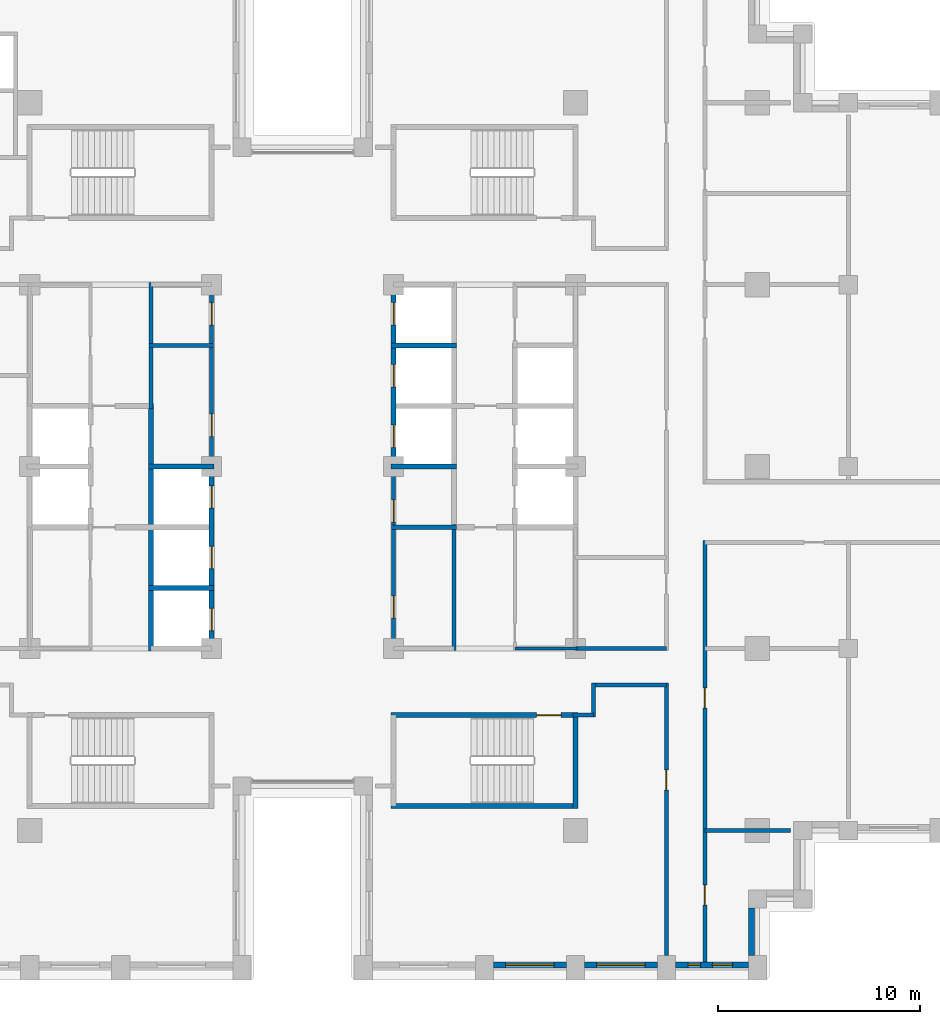
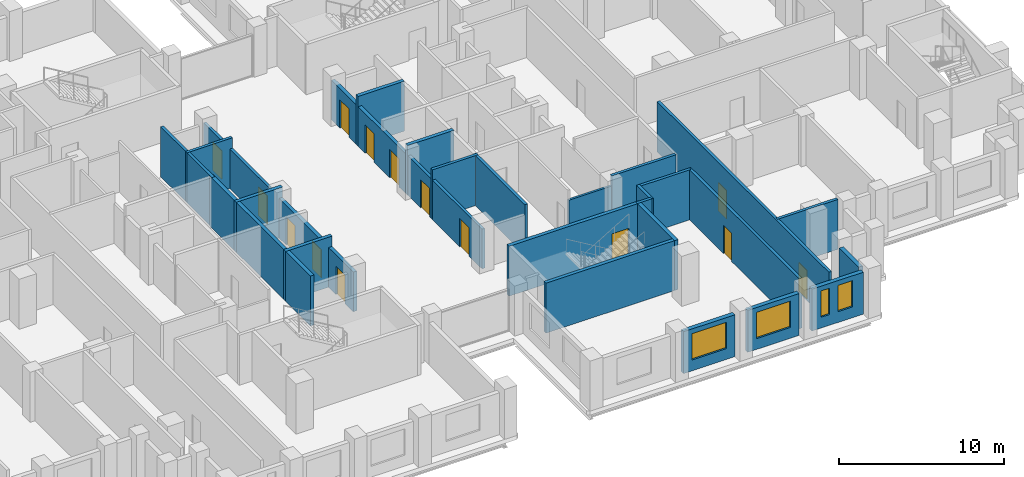
# One storey, part 8 of 15: 28 walls, 14 doors, 4 windows, 18 openings.
"""IFC4 building model written with IfcOpenShell, lengths in metres."""

from ifc_helpers import new_model, si_unit, direction, frame, frame_2d, origin, place, context, subcontext, project, spatial, rectangle, extrude, material, layer, layer_set, type_object, element, fill, save


model = new_model("IFC4")

# Units and contexts
model_context = context("Model", 3, precision=1e-05, world=origin(), true_north=direction((0.0, 1.0)))
body_context = subcontext(model_context, "Body", "Model", "MODEL_VIEW")
ifc_project = project(units=[si_unit("LENGTHUNIT", "METRE"), si_unit("AREAUNIT", "SQUARE_METRE"), si_unit("VOLUMEUNIT", "CUBIC_METRE"), si_unit("PLANEANGLEUNIT", "RADIAN"), si_unit("MASSUNIT", "GRAM", prefix="KILO")], contexts=[model_context])

# Site, building, storey
site_placement = place(None, origin())
site = spatial("IfcSite", under=ifc_project, at=site_placement, CompositionType="ELEMENT")
building_placement = place(site_placement, origin())
building = spatial("IfcBuilding", under=site, at=building_placement, Name="Corbelhall Arena Tower", CompositionType="ELEMENT")
storey_placement = place(building_placement, frame((0.0, 0.0, 96.0)))
storey = spatial("IfcBuildingStorey", under=building, at=storey_placement, Name="L16", CompositionType="ELEMENT", Elevation=96.0)

# Wall, opening, window
ifc_material_1 = material(Name="Precast concrete C40/50 with granite facing", Category="masonry")
ifc_layer_1 = layer(ifc_material_1, 0.300048828125)
ifc_layer_set_1 = layer_set([ifc_layer_1], Name="EV-IW1 Infill panel 300")
wall_type_1 = type_object("IfcWallType", Name="EV-IW1 Infill panel 300", PredefinedType="SOLIDWALL", material=ifc_layer_set_1)
wall_1_placement = place(storey_placement, frame((9.449951171875, -24.64990234375, 0.0), z_axis=(0.0, 0.0, 1.0), x_axis=(1.0, 0.0, 0.0)))
wall_1 = element("IfcWall", 1, at=wall_1_placement, inside=storey, type_object=wall_type_1, Name="Infill panel IW1", PredefinedType="SOLIDWALL", context=body_context, shape_type="SweptSolid", body=[
    extrude(rectangle(XDim=3.60009765625, YDim=0.300048828125, at=frame_2d((1.800048828125, 0.0))), origin(), (0.0, 0.0, 1.0), 3.10009765625),
])
opening_1_placement = place(wall_1_placement, frame((0.60009765625, 0.0, 0.800048828125)))
opening_1 = element("IfcOpeningElement", 2, at=opening_1_placement, cuts=wall_1, Name="Opening WN1", PredefinedType="OPENING", context=body_context, shape_type="SweptSolid", body=[
    extrude(rectangle(XDim=2.39990234375, YDim=1.949951171875, at=frame_2d((1.199951171875, 0.97509765625))), frame((0.0, 0.14990234375, 0.0), z_axis=(0.0, -1.0, 0.0), x_axis=(1.0, 0.0, 0.0)), (0.0, 0.0, 1.0), 0.300048828125),
])
ifc_material_2 = material(Name="Aluminium black anodised", Category="aluminium")
window_type_1 = type_object("IfcWindowType", Name="EV-WN1 Office window", PartitioningType="SINGLE_PANEL", PredefinedType="WINDOW", material=ifc_material_2)
window_1_placement = place(opening_1_placement, origin())
window_1 = element("IfcWindow", 3, at=window_1_placement, inside=storey, type_object=window_type_1, Name="Window WN1", OverallHeight=1.949951171875, OverallWidth=2.39990234375, PartitioningType="SINGLE_PANEL", PredefinedType="WINDOW", context=body_context, shape_type="SweptSolid", body=[
    extrude(rectangle(XDim=2.39990234375, YDim=1.949951171875, at=frame_2d((1.199951171875, 0.97509765625))), frame((0.0, 0.030029296875, 0.0), z_axis=(0.0, -1.0, 0.0), x_axis=(1.0, 0.0, 0.0)), (0.0, 0.0, 1.0), 0.06005859375),
])
fill(opening_1, window_1)

wall_2_placement = place(storey_placement, frame((13.949951171875, -24.64990234375, 0.0), z_axis=(0.0, 0.0, 1.0), x_axis=(1.0, 0.0, 0.0)))
wall_2 = element("IfcWall", 4, at=wall_2_placement, inside=storey, type_object=wall_type_1, Name="Infill panel IW1", PredefinedType="SOLIDWALL", context=body_context, shape_type="SweptSolid", body=[
    extrude(rectangle(XDim=3.60009765625, YDim=0.300048828125, at=frame_2d((1.800048828125, 0.0))), origin(), (0.0, 0.0, 1.0), 3.10009765625),
])
opening_2_placement = place(wall_2_placement, frame((0.60009765625, 0.0, 0.800048828125)))
opening_2 = element("IfcOpeningElement", 5, at=opening_2_placement, cuts=wall_2, Name="Opening WN1", PredefinedType="OPENING", context=body_context, shape_type="SweptSolid", body=[
    extrude(rectangle(XDim=2.39990234375, YDim=1.949951171875, at=frame_2d((1.199951171875, 0.97509765625))), frame((0.0, 0.14990234375, 0.0), z_axis=(0.0, -1.0, 0.0), x_axis=(1.0, 0.0, 0.0)), (0.0, 0.0, 1.0), 0.300048828125),
])
window_2_placement = place(opening_2_placement, origin())
window_2 = element("IfcWindow", 6, at=window_2_placement, inside=storey, type_object=window_type_1, Name="Window WN1", OverallHeight=1.949951171875, OverallWidth=2.39990234375, PartitioningType="SINGLE_PANEL", PredefinedType="WINDOW", context=body_context, shape_type="SweptSolid", body=[
    extrude(rectangle(XDim=2.39990234375, YDim=1.949951171875, at=frame_2d((1.199951171875, 0.97509765625))), frame((0.0, 0.030029296875, 0.0), z_axis=(0.0, -1.0, 0.0), x_axis=(1.0, 0.0, 0.0)), (0.0, 0.0, 1.0), 0.06005859375),
])
fill(opening_2, window_2)

# Wall, openings, windows
wall_3_placement = place(storey_placement, frame((18.449951171875, -24.64990234375, 0.0), z_axis=(0.0, 0.0, 1.0), x_axis=(1.0, 0.0, 0.0)))
wall_3 = element("IfcWall", 7, at=wall_3_placement, inside=storey, type_object=wall_type_1, Name="Infill panel IW1", PredefinedType="SOLIDWALL", context=body_context, shape_type="SweptSolid", body=[
    extrude(rectangle(XDim=3.60009765625, YDim=0.300048828125, at=frame_2d((1.800048828125, 0.0))), origin(), (0.0, 0.0, 1.0), 3.10009765625),
])
opening_3_placement = place(wall_3_placement, frame((0.625, 0.0, 0.800048828125)))
opening_3 = element("IfcOpeningElement", 8, at=opening_3_placement, cuts=wall_3, Name="Opening WN5", PredefinedType="OPENING", context=body_context, shape_type="SweptSolid", body=[
    extrude(rectangle(XDim=0.60009765625, YDim=1.949951171875, at=frame_2d((0.300048828125, 0.97509765625))), frame((0.0, 0.14990234375, 0.0), z_axis=(0.0, -1.0, 0.0), x_axis=(1.0, 0.0, 0.0)), (0.0, 0.0, 1.0), 0.300048828125),
])
opening_4_placement = place(wall_3_placement, frame((1.824951171875, 0.0, 0.800048828125)))
opening_4 = element("IfcOpeningElement", 9, at=opening_4_placement, cuts=wall_3, Name="Opening WN6", PredefinedType="OPENING", context=body_context, shape_type="SweptSolid", body=[
    extrude(rectangle(XDim=1.0, YDim=1.949951171875, at=frame_2d((0.5, 0.97509765625))), frame((0.0, 0.14990234375, 0.0), z_axis=(0.0, -1.0, 0.0), x_axis=(1.0, 0.0, 0.0)), (0.0, 0.0, 1.0), 0.300048828125),
])
window_type_2 = type_object("IfcWindowType", Name="EV-WN5 Office window 600", PartitioningType="SINGLE_PANEL", PredefinedType="WINDOW", material=ifc_material_2)
window_3_placement = place(opening_3_placement, origin())
window_3 = element("IfcWindow", 10, at=window_3_placement, inside=storey, type_object=window_type_2, Name="Window WN5", OverallHeight=1.949951171875, OverallWidth=0.60009765625, PartitioningType="SINGLE_PANEL", PredefinedType="WINDOW", context=body_context, shape_type="SweptSolid", body=[
    extrude(rectangle(XDim=0.60009765625, YDim=1.949951171875, at=frame_2d((0.300048828125, 0.97509765625))), frame((0.0, 0.030029296875, 0.0), z_axis=(0.0, -1.0, 0.0), x_axis=(1.0, 0.0, 0.0)), (0.0, 0.0, 1.0), 0.06005859375),
])
fill(opening_3, window_3)
window_type_3 = type_object("IfcWindowType", Name="EV-WN6 Office window 1000", PartitioningType="SINGLE_PANEL", PredefinedType="WINDOW", material=ifc_material_2)
window_4_placement = place(opening_4_placement, origin())
window_4 = element("IfcWindow", 11, at=window_4_placement, inside=storey, type_object=window_type_3, Name="Window WN6", OverallHeight=1.949951171875, OverallWidth=1.0, PartitioningType="SINGLE_PANEL", PredefinedType="WINDOW", context=body_context, shape_type="SweptSolid", body=[
    extrude(rectangle(XDim=1.0, YDim=1.949951171875, at=frame_2d((0.5, 0.97509765625))), frame((0.0, 0.030029296875, 0.0), z_axis=(0.0, -1.0, 0.0), x_axis=(1.0, 0.0, 0.0)), (0.0, 0.0, 1.0), 0.06005859375),
])
fill(opening_4, window_4)

# Walls
wall_4_placement = place(storey_placement, frame((22.199951171875, -24.199951171875, 0.0), z_axis=(0.0, 0.0, 1.0), x_axis=(0.0, 1.0, 0.0)))
element("IfcWall", 12, at=wall_4_placement, inside=storey, type_object=wall_type_1, Name="Infill panel IW1", PredefinedType="SOLIDWALL", context=body_context, shape_type="SweptSolid", body=[
    extrude(rectangle(XDim=2.349853515625, YDim=0.300048828125, at=frame_2d((1.1748046875, 0.0))), origin(), (0.0, 0.0, 1.0), 3.10009765625),
])
ifc_material_3 = material(Name="Gypsum board on steel stud, acoustic", Category="steel")
ifc_layer_2 = layer(ifc_material_3, 0.199951171875)
ifc_layer_set_2 = layer_set([ifc_layer_2], Name="IN-W-DM200")
wall_type_2 = type_object("IfcWallType", Name="IN-W-DM200", PredefinedType="PARTITIONING", material=ifc_layer_set_2)
wall_5_placement = place(storey_placement, frame((13.5, -9.0, 0.0), z_axis=(0.0, 0.0, 1.0), x_axis=(1.0, 0.0, 0.0)))
element("IfcWall", 13, at=wall_5_placement, inside=storey, type_object=wall_type_2, Name="Partition 037", PredefinedType="PARTITIONING", context=body_context, shape_type="SweptSolid", body=[
    extrude(rectangle(XDim=4.5, YDim=0.199951171875, at=frame_2d((2.25, 0.0))), origin(), (0.0, 0.0, 1.0), 3.699951171875),
])
wall_6_placement = place(storey_placement, frame((14.39990234375, -12.300048828125, 0.0), z_axis=(0.0, 0.0, 1.0), x_axis=(-1.0, 0.0, 0.0)))
element("IfcWall", 14, at=wall_6_placement, inside=storey, type_object=wall_type_2, Name="Partition 039", PredefinedType="PARTITIONING", context=body_context, shape_type="SweptSolid", body=[
    extrude(rectangle(XDim=1.02490234375, YDim=0.199951171875, at=frame_2d((0.512451171875, 0.0))), origin(), (0.0, 0.0, 1.0), 3.699951171875),
])
wall_7_placement = place(storey_placement, frame((14.39990234375, -10.699951171875, 0.0), z_axis=(0.0, 0.0, 1.0), x_axis=(0.0, -1.0, 0.0)))
element("IfcWall", 15, at=wall_7_placement, inside=storey, type_object=wall_type_2, Name="Partition 040", PredefinedType="PARTITIONING", context=body_context, shape_type="SweptSolid", body=[
    extrude(rectangle(XDim=1.699951171875, YDim=0.199951171875, at=frame_2d((0.85009765625, 0.0))), origin(), (0.0, 0.0, 1.0), 3.699951171875),
])

# Wall, opening, door
wall_8_placement = place(storey_placement, frame((18.0, -24.199951171875, 0.0), z_axis=(0.0, 0.0, 1.0), x_axis=(0.0, 1.0, 0.0)))
wall_8 = element("IfcWall", 16, at=wall_8_placement, inside=storey, type_object=wall_type_2, Name="Partition 044", PredefinedType="PARTITIONING", context=body_context, shape_type="SweptSolid", body=[
    extrude(rectangle(XDim=13.5, YDim=0.199951171875, at=frame_2d((6.75, 0.0))), origin(), (0.0, 0.0, 1.0), 3.699951171875),
])
opening_5_placement = place(wall_8_placement, frame((8.199951171875, 0.0, 0.0)))
opening_5 = element("IfcOpeningElement", 17, at=opening_5_placement, cuts=wall_8, Name="Opening 03028", PredefinedType="OPENING", context=body_context, shape_type="SweptSolid", body=[
    extrude(rectangle(XDim=1.0, YDim=2.10009765625, at=frame_2d((0.5, 1.050048828125))), frame((0.0, 0.10009765625, 0.0), z_axis=(0.0, -1.0, 0.0), x_axis=(1.0, 0.0, 0.0)), (0.0, 0.0, 1.0), 0.199951171875),
])
ifc_material_4 = material(Name="Steel door set", Category="steel")
door_type_1 = type_object("IfcDoorType", Name="IN-D-SW100", OperationType="NOTDEFINED", PredefinedType="DOOR", material=ifc_material_4)
door_1_placement = place(opening_5_placement, origin())
door_1 = element("IfcDoor", 18, at=door_1_placement, inside=storey, type_object=door_type_1, Name="Door 028", OperationType="SINGLE_SWING_LEFT", OverallHeight=2.10009765625, OverallWidth=1.0, PredefinedType="DOOR", context=body_context, shape_type="SweptSolid", body=[
    extrude(rectangle(XDim=1.0, YDim=2.10009765625, at=frame_2d((0.5, 1.050048828125))), frame((0.0, 0.02490234375, 0.0), z_axis=(0.0, -1.0, 0.0), x_axis=(1.0, 0.0, 0.0)), (0.0, 0.0, 1.0), 0.050048828125),
])
fill(opening_5, door_1)

# Walls
wall_9_placement = place(storey_placement, frame((18.0, -10.800048828125, 0.0), z_axis=(0.0, 0.0, 1.0), x_axis=(-1.0, 0.0, 0.0)))
element("IfcWall", 19, at=wall_9_placement, inside=storey, type_object=wall_type_2, Name="Partition 045", PredefinedType="PARTITIONING", context=body_context, shape_type="SweptSolid", body=[
    extrude(rectangle(XDim=3.60009765625, YDim=0.199951171875, at=frame_2d((1.800048828125, 0.0))), origin(), (0.0, 0.0, 1.0), 3.699951171875),
])
wall_10_placement = place(storey_placement, frame((19.89990234375, -18.0, 0.0), z_axis=(0.0, 0.0, 1.0), x_axis=(1.0, 0.0, 0.0)))
element("IfcWall", 20, at=wall_10_placement, inside=storey, type_object=wall_type_2, Name="Partition 048", PredefinedType="PARTITIONING", context=body_context, shape_type="SweptSolid", body=[
    extrude(rectangle(XDim=4.25, YDim=0.199951171875, at=frame_2d((2.125, 0.0))), origin(), (0.0, 0.0, 1.0), 3.699951171875),
])

# Wall, openings, doors
wall_11_placement = place(storey_placement, frame((19.89990234375, -3.64990234375, 0.0), z_axis=(0.0, 0.0, 1.0), x_axis=(0.0, -1.0, 0.0)))
wall_11 = element("IfcWall", 21, at=wall_11_placement, inside=storey, type_object=wall_type_2, Name="Partition 049", PredefinedType="PARTITIONING", context=body_context, shape_type="SweptSolid", body=[
    extrude(rectangle(XDim=20.85009765625, YDim=0.199951171875, at=frame_2d((10.425048828125, 0.0))), origin(), (0.0, 0.0, 1.0), 3.699951171875),
])
opening_6_placement = place(wall_11_placement, frame((17.050048828125, 0.0, 0.0)))
opening_6 = element("IfcOpeningElement", 22, at=opening_6_placement, cuts=wall_11, Name="Opening 03038", PredefinedType="OPENING", context=body_context, shape_type="SweptSolid", body=[
    extrude(rectangle(XDim=1.0, YDim=2.10009765625, at=frame_2d((0.5, 1.050048828125))), frame((0.0, 0.10009765625, 0.0), z_axis=(0.0, -1.0, 0.0), x_axis=(1.0, 0.0, 0.0)), (0.0, 0.0, 1.0), 0.199951171875),
])
opening_7_placement = place(wall_11_placement, frame((7.300048828125, 0.0, 0.0)))
opening_7 = element("IfcOpeningElement", 23, at=opening_7_placement, cuts=wall_11, Name="Opening 03039", PredefinedType="OPENING", context=body_context, shape_type="SweptSolid", body=[
    extrude(rectangle(XDim=1.0, YDim=2.10009765625, at=frame_2d((0.5, 1.050048828125))), frame((0.0, 0.10009765625, 0.0), z_axis=(0.0, -1.0, 0.0), x_axis=(1.0, 0.0, 0.0)), (0.0, 0.0, 1.0), 0.199951171875),
])
door_2_placement = place(opening_6_placement, origin())
door_2 = element("IfcDoor", 24, at=door_2_placement, inside=storey, type_object=door_type_1, Name="Door 038", OperationType="SINGLE_SWING_LEFT", OverallHeight=2.10009765625, OverallWidth=1.0, PredefinedType="DOOR", context=body_context, shape_type="SweptSolid", body=[
    extrude(rectangle(XDim=1.0, YDim=2.10009765625, at=frame_2d((0.5, 1.050048828125))), frame((0.0, 0.02490234375, 0.0), z_axis=(0.0, -1.0, 0.0), x_axis=(1.0, 0.0, 0.0)), (0.0, 0.0, 1.0), 0.050048828125),
])
fill(opening_6, door_2)
door_3_placement = place(opening_7_placement, origin())
door_3 = element("IfcDoor", 25, at=door_3_placement, inside=storey, type_object=door_type_1, Name="Door 039", OperationType="SINGLE_SWING_RIGHT", OverallHeight=2.10009765625, OverallWidth=1.0, PredefinedType="DOOR", context=body_context, shape_type="SweptSolid", body=[
    extrude(rectangle(XDim=1.0, YDim=2.10009765625, at=frame_2d((0.5, 1.050048828125))), frame((0.0, 0.02490234375, 0.0), z_axis=(0.0, -1.0, 0.0), x_axis=(1.0, 0.0, 0.0)), (0.0, 0.0, 1.0), 0.050048828125),
])
fill(opening_7, door_3)

# Walls
ifc_material_5 = material(Name="Concrete block wall", Category="concrete")
ifc_layer_3 = layer(ifc_material_5, 0.199951171875)
ifc_layer_set_3 = layer_set([ifc_layer_3], Name="IN-W-RS200")
wall_type_3 = type_object("IfcWallType", Name="IN-W-RS200", PredefinedType="SOLIDWALL", material=ifc_layer_set_3)
wall_12_placement = place(storey_placement, frame((-7.60009765625, 6.0, 0.0), z_axis=(0.0, 0.0, 1.0), x_axis=(1.0, 0.0, 0.0)))
element("IfcWall", 26, at=wall_12_placement, inside=storey, type_object=wall_type_3, Name="Partition 063", PredefinedType="SOLIDWALL", context=body_context, shape_type="SweptSolid", body=[
    extrude(rectangle(XDim=3.2001953125, YDim=0.199951171875, at=frame_2d((1.60009765625, 0.0))), origin(), (0.0, 0.0, 1.0), 3.699951171875),
])
wall_13_placement = place(storey_placement, frame((-7.5, 2.875, 0.0), z_axis=(0.0, 0.0, 1.0), x_axis=(0.0, 1.0, 0.0)))
element("IfcWall", 27, at=wall_13_placement, inside=storey, type_object=wall_type_3, Name="Partition 064", PredefinedType="SOLIDWALL", context=body_context, shape_type="SweptSolid", body=[
    extrude(rectangle(XDim=6.22509765625, YDim=0.199951171875, at=frame_2d((3.112548828125, 0.0))), origin(), (0.0, 0.0, 1.0), 3.699951171875),
])
wall_14_placement = place(storey_placement, frame((4.39990234375, -3.0, 0.0), z_axis=(0.0, 0.0, 1.0), x_axis=(1.0, 0.0, 0.0)))
element("IfcWall", 28, at=wall_14_placement, inside=storey, type_object=wall_type_3, Name="Partition 067", PredefinedType="SOLIDWALL", context=body_context, shape_type="SweptSolid", body=[
    extrude(rectangle(XDim=3.22509765625, YDim=0.199951171875, at=frame_2d((1.612548828125, 0.0))), origin(), (0.0, 0.0, 1.0), 3.699951171875),
])
wall_15_placement = place(storey_placement, frame((7.5, -2.875, 0.0), z_axis=(0.0, 0.0, 1.0), x_axis=(0.0, -1.0, 0.0)))
element("IfcWall", 29, at=wall_15_placement, inside=storey, type_object=wall_type_3, Name="Partition 070", PredefinedType="SOLIDWALL", context=body_context, shape_type="SweptSolid", body=[
    extrude(rectangle(XDim=6.22509765625, YDim=0.199951171875, at=frame_2d((3.112548828125, 0.0))), origin(), (0.0, 0.0, 1.0), 3.699951171875),
])

# Wall, openings, doors
ifc_layer_4 = layer(ifc_material_5, 0.199951171875)
ifc_layer_set_4 = layer_set([ifc_layer_4], Name="IN-W-RS200 under beam 762 mm")
wall_type_4 = type_object("IfcWallType", Name="IN-W-RS200 under beam 762 mm", PredefinedType="SOLIDWALL", material=ifc_layer_set_4)
wall_16_placement = place(storey_placement, frame((-4.5, 9.10009765625, 0.0), z_axis=(0.0, 0.0, 1.0), x_axis=(0.0, -1.0, 0.0)))
wall_16 = element("IfcWall", 30, at=wall_16_placement, inside=storey, type_object=wall_type_4, Name="Partition 066", PredefinedType="SOLIDWALL", context=body_context, shape_type="SweptSolid", body=[
    extrude(rectangle(XDim=9.10009765625, YDim=0.199951171875, at=frame_2d((4.550048828125, 0.0))), origin(), (0.0, 0.0, 1.0), 2.93798828125),
])
opening_8_placement = place(wall_16_placement, frame((6.5, 0.0, 0.0)))
opening_8 = element("IfcOpeningElement", 31, at=opening_8_placement, cuts=wall_16, Name="Opening 03001", PredefinedType="OPENING", context=body_context, shape_type="SweptSolid", body=[
    extrude(rectangle(XDim=1.10009765625, YDim=2.10009765625, at=frame_2d((0.550048828125, 1.050048828125))), frame((0.0, 0.10009765625, 0.0), z_axis=(0.0, -1.0, 0.0), x_axis=(1.0, 0.0, 0.0)), (0.0, 0.0, 1.0), 0.199951171875),
])
opening_9_placement = place(wall_16_placement, frame((1.0, 0.0, 0.0)))
opening_9 = element("IfcOpeningElement", 32, at=opening_9_placement, cuts=wall_16, Name="Opening 03002", PredefinedType="OPENING", context=body_context, shape_type="SweptSolid", body=[
    extrude(rectangle(XDim=1.10009765625, YDim=2.10009765625, at=frame_2d((0.550048828125, 1.050048828125))), frame((0.0, 0.10009765625, 0.0), z_axis=(0.0, -1.0, 0.0), x_axis=(1.0, 0.0, 0.0)), (0.0, 0.0, 1.0), 0.199951171875),
])
door_type_2 = type_object("IfcDoorType", Name="IN-D-FD110", OperationType="NOTDEFINED", PredefinedType="DOOR", material=ifc_material_4)
door_4_placement = place(opening_8_placement, origin())
door_4 = element("IfcDoor", 33, at=door_4_placement, inside=storey, type_object=door_type_2, Name="Door 001", OperationType="SINGLE_SWING_RIGHT", OverallHeight=2.10009765625, OverallWidth=1.10009765625, PredefinedType="DOOR", context=body_context, shape_type="SweptSolid", body=[
    extrude(rectangle(XDim=1.10009765625, YDim=2.10009765625, at=frame_2d((0.550048828125, 1.050048828125))), frame((0.0, 0.02490234375, 0.0), z_axis=(0.0, -1.0, 0.0), x_axis=(1.0, 0.0, 0.0)), (0.0, 0.0, 1.0), 0.050048828125),
])
fill(opening_8, door_4)
door_5_placement = place(opening_9_placement, origin())
door_5 = element("IfcDoor", 34, at=door_5_placement, inside=storey, type_object=door_type_2, Name="Door 002", OperationType="SINGLE_SWING_LEFT", OverallHeight=2.10009765625, OverallWidth=1.10009765625, PredefinedType="DOOR", context=body_context, shape_type="SweptSolid", body=[
    extrude(rectangle(XDim=1.10009765625, YDim=2.10009765625, at=frame_2d((0.550048828125, 1.050048828125))), frame((0.0, 0.02490234375, 0.0), z_axis=(0.0, -1.0, 0.0), x_axis=(1.0, 0.0, 0.0)), (0.0, 0.0, 1.0), 0.050048828125),
])
fill(opening_9, door_5)

wall_17_placement = place(storey_placement, frame((4.5, -9.10009765625, 0.0), z_axis=(0.0, 0.0, 1.0), x_axis=(0.0, 1.0, 0.0)))
wall_17 = element("IfcWall", 35, at=wall_17_placement, inside=storey, type_object=wall_type_4, Name="Partition 068", PredefinedType="SOLIDWALL", context=body_context, shape_type="SweptSolid", body=[
    extrude(rectangle(XDim=9.10009765625, YDim=0.199951171875, at=frame_2d((4.550048828125, 0.0))), origin(), (0.0, 0.0, 1.0), 2.93798828125),
])
opening_10_placement = place(wall_17_placement, frame((1.60009765625, 0.0, 0.0)))
opening_10 = element("IfcOpeningElement", 36, at=opening_10_placement, cuts=wall_17, Name="Opening 03007", PredefinedType="OPENING", context=body_context, shape_type="SweptSolid", body=[
    extrude(rectangle(XDim=1.10009765625, YDim=2.10009765625, at=frame_2d((0.550048828125, 1.050048828125))), frame((0.0, 0.10009765625, 0.0), z_axis=(0.0, -1.0, 0.0), x_axis=(1.0, 0.0, 0.0)), (0.0, 0.0, 1.0), 0.199951171875),
])
opening_11_placement = place(wall_17_placement, frame((6.35009765625, 0.0, 0.0)))
opening_11 = element("IfcOpeningElement", 37, at=opening_11_placement, cuts=wall_17, Name="Opening 03008", PredefinedType="OPENING", context=body_context, shape_type="SweptSolid", body=[
    extrude(rectangle(XDim=1.10009765625, YDim=2.10009765625, at=frame_2d((0.550048828125, 1.050048828125))), frame((0.0, 0.10009765625, 0.0), z_axis=(0.0, -1.0, 0.0), x_axis=(1.0, 0.0, 0.0)), (0.0, 0.0, 1.0), 0.199951171875),
])
door_6_placement = place(opening_10_placement, origin())
door_6 = element("IfcDoor", 38, at=door_6_placement, inside=storey, type_object=door_type_2, Name="Door 007", OperationType="SINGLE_SWING_RIGHT", OverallHeight=2.10009765625, OverallWidth=1.10009765625, PredefinedType="DOOR", context=body_context, shape_type="SweptSolid", body=[
    extrude(rectangle(XDim=1.10009765625, YDim=2.10009765625, at=frame_2d((0.550048828125, 1.050048828125))), frame((0.0, 0.02490234375, 0.0), z_axis=(0.0, -1.0, 0.0), x_axis=(1.0, 0.0, 0.0)), (0.0, 0.0, 1.0), 0.050048828125),
])
fill(opening_10, door_6)
door_7_placement = place(opening_11_placement, origin())
door_7 = element("IfcDoor", 39, at=door_7_placement, inside=storey, type_object=door_type_2, Name="Door 008", OperationType="SINGLE_SWING_LEFT", OverallHeight=2.10009765625, OverallWidth=1.10009765625, PredefinedType="DOOR", context=body_context, shape_type="SweptSolid", body=[
    extrude(rectangle(XDim=1.10009765625, YDim=2.10009765625, at=frame_2d((0.550048828125, 1.050048828125))), frame((0.0, 0.02490234375, 0.0), z_axis=(0.0, -1.0, 0.0), x_axis=(1.0, 0.0, 0.0)), (0.0, 0.0, 1.0), 0.050048828125),
])
fill(opening_11, door_7)

# Walls
ifc_material_6 = material(Name="Concrete C40/50", Category="concrete")
ifc_layer_5 = layer(ifc_material_6, 0.25)
ifc_layer_set_5 = layer_set([ifc_layer_5], Name="IN-W-SH250")
wall_type_5 = type_object("IfcWallType", Name="IN-W-SH250", PredefinedType="SOLIDWALL", material=ifc_layer_set_5)
for number, where, z_axis, x_axis, name in (
    (40, (-7.625, -6.0, 0.0), (0.0, 0.0, 1.0), (1.0, 0.0, 0.0), "Shaft wall 079"),
    (41, (-7.625, 0.0, 0.0), (0.0, 0.0, 1.0), (1.0, 0.0, 0.0), "Shaft wall 080"),
):
    element("IfcWall", number, at=place(storey_placement, frame(where, z_axis=z_axis, x_axis=x_axis)), inside=storey, type_object=wall_type_5, Name=name, PredefinedType="SOLIDWALL", context=body_context, shape_type="SweptSolid", body=[
        extrude(rectangle(XDim=3.25, YDim=0.25, at=frame_2d((1.625, 0.0))), origin(), (0.0, 0.0, 1.0), 3.699951171875),
    ])
wall_18_placement = place(storey_placement, frame((-7.5, -9.125, 0.0), z_axis=(0.0, 0.0, 1.0), x_axis=(0.0, 1.0, 0.0)))
element("IfcWall", 42, at=wall_18_placement, inside=storey, type_object=wall_type_5, Name="Shaft wall 081", PredefinedType="SOLIDWALL", context=body_context, shape_type="SweptSolid", body=[
    extrude(rectangle(XDim=12.25, YDim=0.25, at=frame_2d((6.125, 0.0))), origin(), (0.0, 0.0, 1.0), 3.699951171875),
])
for number, where, z_axis, x_axis, name in (
    (43, (4.375, 0.0, 0.0), (0.0, 0.0, 1.0), (1.0, 0.0, 0.0), "Shaft wall 084"),
    (44, (4.375, 6.0, 0.0), (0.0, 0.0, 1.0), (1.0, 0.0, 0.0), "Shaft wall 086"),
):
    element("IfcWall", number, at=place(storey_placement, frame(where, z_axis=z_axis, x_axis=x_axis)), inside=storey, type_object=wall_type_5, Name=name, PredefinedType="SOLIDWALL", context=body_context, shape_type="SweptSolid", body=[
        extrude(rectangle(XDim=3.25, YDim=0.25, at=frame_2d((1.625, 0.0))), origin(), (0.0, 0.0, 1.0), 3.699951171875),
    ])

# Wall, openings, doors
ifc_layer_6 = layer(ifc_material_6, 0.25)
ifc_layer_set_6 = layer_set([ifc_layer_6], Name="IN-W-SH250 under beam 762 mm")
wall_type_6 = type_object("IfcWallType", Name="IN-W-SH250 under beam 762 mm", PredefinedType="SOLIDWALL", material=ifc_layer_set_6)
wall_19_placement = place(storey_placement, frame((-4.5, 0.0, 0.0), z_axis=(0.0, 0.0, 1.0), x_axis=(0.0, -1.0, 0.0)))
wall_19 = element("IfcWall", 45, at=wall_19_placement, inside=storey, type_object=wall_type_6, Name="Shaft wall 083", PredefinedType="SOLIDWALL", context=body_context, shape_type="SweptSolid", body=[
    extrude(rectangle(XDim=9.125, YDim=0.25, at=frame_2d((4.5625, 0.0))), origin(), (0.0, 0.0, 1.0), 2.93798828125),
])
opening_12_placement = place(wall_19_placement, frame((7.012451171875, 0.0, 0.0)))
opening_12 = element("IfcOpeningElement", 46, at=opening_12_placement, cuts=wall_19, Name="Opening LD", PredefinedType="OPENING", context=body_context, shape_type="SweptSolid", body=[
    extrude(rectangle(XDim=1.10009765625, YDim=2.10009765625, at=frame_2d((0.550048828125, 1.050048828125))), frame((0.0, 0.125, 0.0), z_axis=(0.0, -1.0, 0.0), x_axis=(1.0, 0.0, 0.0)), (0.0, 0.0, 1.0), 0.25),
])
opening_13_placement = place(wall_19_placement, frame((3.949951171875, 0.0, 0.0)))
opening_13 = element("IfcOpeningElement", 47, at=opening_13_placement, cuts=wall_19, Name="Opening LD", PredefinedType="OPENING", context=body_context, shape_type="SweptSolid", body=[
    extrude(rectangle(XDim=1.10009765625, YDim=2.10009765625, at=frame_2d((0.550048828125, 1.050048828125))), frame((0.0, 0.125, 0.0), z_axis=(0.0, -1.0, 0.0), x_axis=(1.0, 0.0, 0.0)), (0.0, 0.0, 1.0), 0.25),
])
opening_14_placement = place(wall_19_placement, frame((0.949951171875, 0.0, 0.0)))
opening_14 = element("IfcOpeningElement", 48, at=opening_14_placement, cuts=wall_19, Name="Opening LD", PredefinedType="OPENING", context=body_context, shape_type="SweptSolid", body=[
    extrude(rectangle(XDim=1.10009765625, YDim=2.10009765625, at=frame_2d((0.550048828125, 1.050048828125))), frame((0.0, 0.125, 0.0), z_axis=(0.0, -1.0, 0.0), x_axis=(1.0, 0.0, 0.0)), (0.0, 0.0, 1.0), 0.25),
])
door_type_3 = type_object("IfcDoorType", Name="IN-D-LD110", OperationType="NOTDEFINED", PredefinedType="DOOR", material=ifc_material_4)
door_8_placement = place(opening_12_placement, origin())
door_8 = element("IfcDoor", 49, at=door_8_placement, inside=storey, type_object=door_type_3, Name="Landing door W1", OperationType="SLIDING_TO_LEFT", OverallHeight=2.10009765625, OverallWidth=1.10009765625, PredefinedType="DOOR", context=body_context, shape_type="SweptSolid", body=[
    extrude(rectangle(XDim=1.10009765625, YDim=2.10009765625, at=frame_2d((0.550048828125, 1.050048828125))), frame((0.0, 0.02490234375, 0.0), z_axis=(0.0, -1.0, 0.0), x_axis=(1.0, 0.0, 0.0)), (0.0, 0.0, 1.0), 0.050048828125),
])
fill(opening_12, door_8)
door_9_placement = place(opening_13_placement, origin())
door_9 = element("IfcDoor", 50, at=door_9_placement, inside=storey, type_object=door_type_3, Name="Landing door W2", OperationType="SLIDING_TO_LEFT", OverallHeight=2.10009765625, OverallWidth=1.10009765625, PredefinedType="DOOR", context=body_context, shape_type="SweptSolid", body=[
    extrude(rectangle(XDim=1.10009765625, YDim=2.10009765625, at=frame_2d((0.550048828125, 1.050048828125))), frame((0.0, 0.02490234375, 0.0), z_axis=(0.0, -1.0, 0.0), x_axis=(1.0, 0.0, 0.0)), (0.0, 0.0, 1.0), 0.050048828125),
])
fill(opening_13, door_9)
door_10_placement = place(opening_14_placement, origin())
door_10 = element("IfcDoor", 51, at=door_10_placement, inside=storey, type_object=door_type_3, Name="Landing door W3", OperationType="SLIDING_TO_LEFT", OverallHeight=2.10009765625, OverallWidth=1.10009765625, PredefinedType="DOOR", context=body_context, shape_type="SweptSolid", body=[
    extrude(rectangle(XDim=1.10009765625, YDim=2.10009765625, at=frame_2d((0.550048828125, 1.050048828125))), frame((0.0, 0.02490234375, 0.0), z_axis=(0.0, -1.0, 0.0), x_axis=(1.0, 0.0, 0.0)), (0.0, 0.0, 1.0), 0.050048828125),
])
fill(opening_14, door_10)

wall_20_placement = place(storey_placement, frame((4.5, 0.0, 0.0), z_axis=(0.0, 0.0, 1.0), x_axis=(0.0, 1.0, 0.0)))
wall_20 = element("IfcWall", 52, at=wall_20_placement, inside=storey, type_object=wall_type_6, Name="Shaft wall 087", PredefinedType="SOLIDWALL", context=body_context, shape_type="SweptSolid", body=[
    extrude(rectangle(XDim=9.125, YDim=0.25, at=frame_2d((4.5625, 0.0))), origin(), (0.0, 0.0, 1.0), 2.93798828125),
])
opening_15_placement = place(wall_20_placement, frame((0.949951171875, 0.0, 0.0)))
opening_15 = element("IfcOpeningElement", 53, at=opening_15_placement, cuts=wall_20, Name="Opening LD", PredefinedType="OPENING", context=body_context, shape_type="SweptSolid", body=[
    extrude(rectangle(XDim=1.10009765625, YDim=2.10009765625, at=frame_2d((0.550048828125, 1.050048828125))), frame((0.0, 0.125, 0.0), z_axis=(0.0, -1.0, 0.0), x_axis=(1.0, 0.0, 0.0)), (0.0, 0.0, 1.0), 0.25),
])
opening_16_placement = place(wall_20_placement, frame((3.949951171875, 0.0, 0.0)))
opening_16 = element("IfcOpeningElement", 54, at=opening_16_placement, cuts=wall_20, Name="Opening LD", PredefinedType="OPENING", context=body_context, shape_type="SweptSolid", body=[
    extrude(rectangle(XDim=1.10009765625, YDim=2.10009765625, at=frame_2d((0.550048828125, 1.050048828125))), frame((0.0, 0.125, 0.0), z_axis=(0.0, -1.0, 0.0), x_axis=(1.0, 0.0, 0.0)), (0.0, 0.0, 1.0), 0.25),
])
opening_17_placement = place(wall_20_placement, frame((7.012451171875, 0.0, 0.0)))
opening_17 = element("IfcOpeningElement", 55, at=opening_17_placement, cuts=wall_20, Name="Opening LD", PredefinedType="OPENING", context=body_context, shape_type="SweptSolid", body=[
    extrude(rectangle(XDim=1.10009765625, YDim=2.10009765625, at=frame_2d((0.550048828125, 1.050048828125))), frame((0.0, 0.125, 0.0), z_axis=(0.0, -1.0, 0.0), x_axis=(1.0, 0.0, 0.0)), (0.0, 0.0, 1.0), 0.25),
])
door_11_placement = place(opening_15_placement, origin())
door_11 = element("IfcDoor", 56, at=door_11_placement, inside=storey, type_object=door_type_3, Name="Landing door E4", OperationType="SLIDING_TO_LEFT", OverallHeight=2.10009765625, OverallWidth=1.10009765625, PredefinedType="DOOR", context=body_context, shape_type="SweptSolid", body=[
    extrude(rectangle(XDim=1.10009765625, YDim=2.10009765625, at=frame_2d((0.550048828125, 1.050048828125))), frame((0.0, 0.02490234375, 0.0), z_axis=(0.0, -1.0, 0.0), x_axis=(1.0, 0.0, 0.0)), (0.0, 0.0, 1.0), 0.050048828125),
])
fill(opening_15, door_11)
door_12_placement = place(opening_16_placement, origin())
door_12 = element("IfcDoor", 57, at=door_12_placement, inside=storey, type_object=door_type_3, Name="Landing door E5", OperationType="SLIDING_TO_LEFT", OverallHeight=2.10009765625, OverallWidth=1.10009765625, PredefinedType="DOOR", context=body_context, shape_type="SweptSolid", body=[
    extrude(rectangle(XDim=1.10009765625, YDim=2.10009765625, at=frame_2d((0.550048828125, 1.050048828125))), frame((0.0, 0.02490234375, 0.0), z_axis=(0.0, -1.0, 0.0), x_axis=(1.0, 0.0, 0.0)), (0.0, 0.0, 1.0), 0.050048828125),
])
fill(opening_16, door_12)
door_13_placement = place(opening_17_placement, origin())
door_13 = element("IfcDoor", 58, at=door_13_placement, inside=storey, type_object=door_type_3, Name="Landing door E6", OperationType="SLIDING_TO_LEFT", OverallHeight=2.10009765625, OverallWidth=1.10009765625, PredefinedType="DOOR", context=body_context, shape_type="SweptSolid", body=[
    extrude(rectangle(XDim=1.10009765625, YDim=2.10009765625, at=frame_2d((0.550048828125, 1.050048828125))), frame((0.0, 0.02490234375, 0.0), z_axis=(0.0, -1.0, 0.0), x_axis=(1.0, 0.0, 0.0)), (0.0, 0.0, 1.0), 0.050048828125),
])
fill(opening_17, door_13)

# Walls
ifc_layer_7 = layer(ifc_material_6, 0.25)
ifc_layer_set_7 = layer_set([ifc_layer_7], Name="IN-W-ST250")
wall_type_7 = type_object("IfcWallType", Name="IN-W-ST250", PredefinedType="SOLIDWALL", material=ifc_layer_set_7)
wall_21_placement = place(storey_placement, frame((13.5, -16.800048828125, 0.0), z_axis=(0.0, 0.0, 1.0), x_axis=(-1.0, 0.0, 0.0)))
element("IfcWall", 59, at=wall_21_placement, inside=storey, type_object=wall_type_7, Name="Shaft wall 113", PredefinedType="SOLIDWALL", context=body_context, shape_type="SweptSolid", body=[
    extrude(rectangle(XDim=9.125, YDim=0.25, at=frame_2d((4.5625, 0.0))), origin(), (0.0, 0.0, 1.0), 3.699951171875),
])
wall_22_placement = place(storey_placement, frame((13.5, -12.300048828125, 0.0), z_axis=(0.0, 0.0, 1.0), x_axis=(0.0, -1.0, 0.0)))
element("IfcWall", 60, at=wall_22_placement, inside=storey, type_object=wall_type_7, Name="Shaft wall 114", PredefinedType="SOLIDWALL", context=body_context, shape_type="SweptSolid", body=[
    extrude(rectangle(XDim=4.625, YDim=0.25, at=frame_2d((2.3125, 0.0))), origin(), (0.0, 0.0, 1.0), 3.699951171875),
])

# Wall, opening, door
wall_23_placement = place(storey_placement, frame((13.625, -12.300048828125, 0.0), z_axis=(0.0, 0.0, 1.0), x_axis=(-1.0, 0.0, 0.0)))
wall_23 = element("IfcWall", 61, at=wall_23_placement, inside=storey, type_object=wall_type_7, Name="Shaft wall 116", PredefinedType="SOLIDWALL", context=body_context, shape_type="SweptSolid", body=[
    extrude(rectangle(XDim=9.25, YDim=0.25, at=frame_2d((4.625, 0.0))), origin(), (0.0, 0.0, 1.0), 3.699951171875),
])
opening_18_placement = place(wall_23_placement, frame((0.85009765625, 0.0, 0.0)))
opening_18 = element("IfcOpeningElement", 62, at=opening_18_placement, cuts=wall_23, Name="Opening 03016", PredefinedType="OPENING", context=body_context, shape_type="SweptSolid", body=[
    extrude(rectangle(XDim=1.199951171875, YDim=2.10009765625, at=frame_2d((0.60009765625, 1.050048828125))), frame((0.0, 0.125, 0.0), z_axis=(0.0, -1.0, 0.0), x_axis=(1.0, 0.0, 0.0)), (0.0, 0.0, 1.0), 0.25),
])
door_type_4 = type_object("IfcDoorType", Name="IN-D-ST120", OperationType="NOTDEFINED", PredefinedType="DOOR", material=ifc_material_4)
door_14_placement = place(opening_18_placement, origin())
door_14 = element("IfcDoor", 63, at=door_14_placement, inside=storey, type_object=door_type_4, Name="Door 016", OperationType="SINGLE_SWING_LEFT", OverallHeight=2.10009765625, OverallWidth=1.199951171875, PredefinedType="DOOR", context=body_context, shape_type="SweptSolid", body=[
    extrude(rectangle(XDim=1.199951171875, YDim=2.10009765625, at=frame_2d((0.60009765625, 1.050048828125))), frame((0.0, 0.02490234375, 0.0), z_axis=(0.0, -1.0, 0.0), x_axis=(1.0, 0.0, 0.0)), (0.0, 0.0, 1.0), 0.050048828125),
])
fill(opening_18, door_14)

# Wall
ifc_material_7 = material(Name="Gypsum board on steel stud, moisture resistant", Category="steel")
ifc_layer_8 = layer(ifc_material_7, 0.14990234375)
ifc_layer_set_8 = layer_set([ifc_layer_8], Name="IN-W-WC150 under beam 762 mm")
wall_type_8 = type_object("IfcWallType", Name="IN-W-WC150 under beam 762 mm", PredefinedType="PARTITIONING", material=ifc_layer_set_8)
wall_24_placement = place(storey_placement, frame((13.574951171875, -9.0, 0.0), z_axis=(0.0, 0.0, 1.0), x_axis=(-1.0, 0.0, 0.0)))
element("IfcWall", 64, at=wall_24_placement, inside=storey, type_object=wall_type_8, Name="Partition 131", PredefinedType="PARTITIONING", context=body_context, shape_type="SweptSolid", body=[
    extrude(rectangle(XDim=3.074951171875, YDim=0.14990234375, at=frame_2d((1.53759765625, 0.0))), origin(), (0.0, 0.0, 1.0), 2.93798828125),
])

save(model, "model.ifc")
